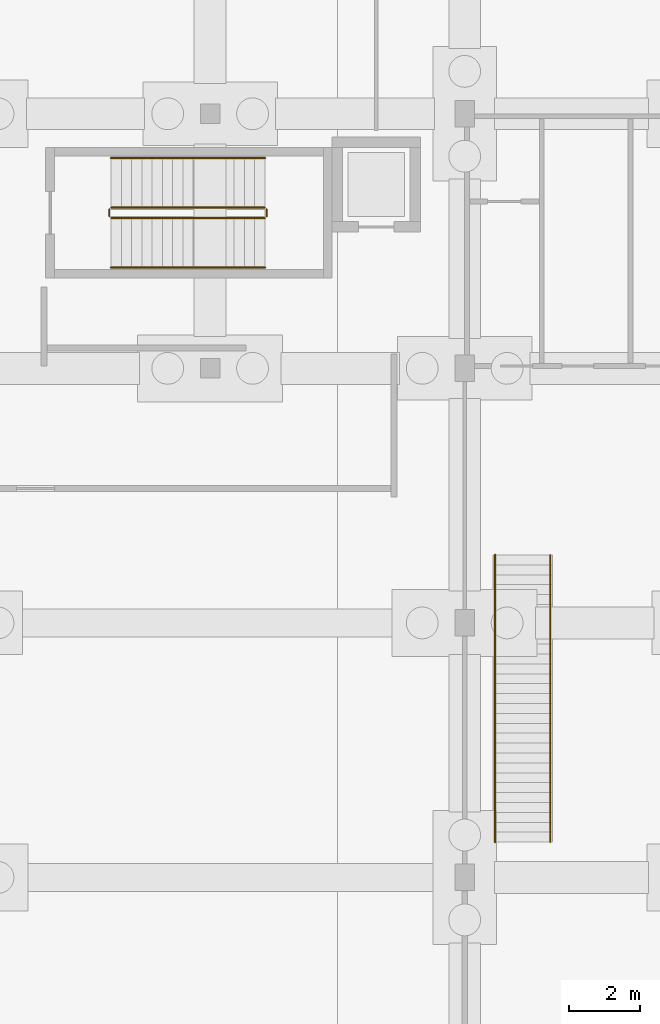
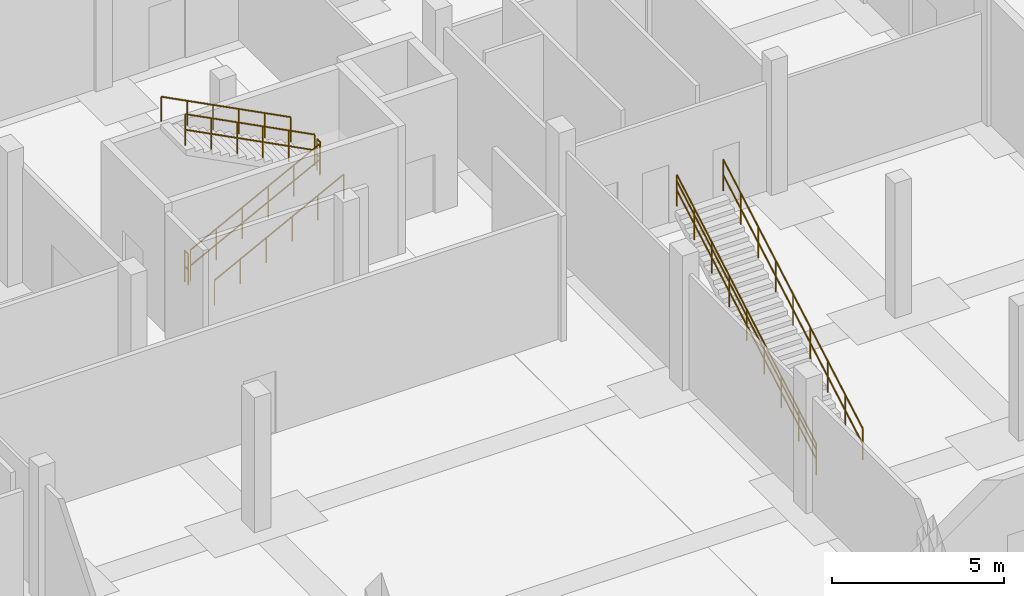
# One storey, part 45 of 48: 9 railings.
"""IFC4 building model written with IfcOpenShell, lengths in metres."""

from ifc_helpers import new_model, si_unit, direction, frame, origin, origin_2d, place, context, subcontext, project, spatial, circle, extrude, material, type_object, element, save


model = new_model("IFC4")

# Units and contexts
model_context = context("Model", 3, precision=1e-05, world=origin(), true_north=direction((0.0, 1.0)))
body_context = subcontext(model_context, "Body", "Model", "MODEL_VIEW")
ifc_project = project(units=[si_unit("LENGTHUNIT", "METRE"), si_unit("AREAUNIT", "SQUARE_METRE"), si_unit("VOLUMEUNIT", "CUBIC_METRE"), si_unit("PLANEANGLEUNIT", "RADIAN"), si_unit("MASSUNIT", "GRAM", prefix="KILO")], contexts=[model_context])

# Site, building, storey
site_placement = place(None, origin())
site = spatial("IfcSite", under=ifc_project, at=site_placement, CompositionType="ELEMENT")
building_placement = place(site_placement, origin())
building = spatial("IfcBuilding", under=site, at=building_placement, Name="Seraya Terrace Polytechnic", CompositionType="ELEMENT")
storey_placement = place(building_placement, origin())
storey = spatial("IfcBuildingStorey", under=building, at=storey_placement, Name="L00", CompositionType="ELEMENT", Elevation=0.0)

# Railings
ifc_material = material(Name="Steel S355J2", Category="steel")
railing_type_1 = type_object("IfcRailingType", Name="GR-02", PredefinedType="GUARDRAIL", material=ifc_material)
railing_1_placement = place(storey_placement, frame((141.199951171875, 25.85009765625, 0.14990234375)))
element("IfcRailing", 1, at=railing_1_placement, inside=storey, type_object=railing_type_1, Name="L00 ST-10 stair guard 1", PredefinedType="GUARDRAIL", context=body_context, shape_type="SweptSolid", body=[
    extrude(circle(Radius=0.02392578125, at=origin_2d()), frame((0.0, 0.0, 1.10595703125), z_axis=(0.888221851817, 0.0, 0.459414782038), x_axis=(0.0, 1.0, 0.0)), (0.0, 0.0, 1.0), 4.8974609375),
    extrude(circle(Radius=0.02392578125, at=origin_2d()), frame((0.0, 0.0, 0.550048828125), z_axis=(0.888221851817, 0.0, 0.459414782038), x_axis=(0.0, 1.0, 0.0)), (0.0, 0.0, 1.0), 4.8974609375),
    extrude(circle(Radius=0.02099609375, at=origin_2d()), origin(), (0.0, 0.0, 1.0), 1.081787109375),
    extrude(circle(Radius=0.02099609375, at=origin_2d()), frame((0.8701171875, 0.0, 0.449951171875)), (0.0, 0.0, 1.0), 1.081787109375),
    extrude(circle(Radius=0.02099609375, at=origin_2d()), frame((1.739990234375, 0.0, 0.89990234375)), (0.0, 0.0, 1.0), 1.081787109375),
    extrude(circle(Radius=0.02099609375, at=origin_2d()), frame((2.610107421875, 0.0, 1.35009765625)), (0.0, 0.0, 1.0), 1.081787109375),
    extrude(circle(Radius=0.02099609375, at=origin_2d()), frame((3.47998046875, 0.0, 1.800048828125)), (0.0, 0.0, 1.0), 1.081787109375),
    extrude(circle(Radius=0.02099609375, at=origin_2d()), frame((4.35009765625, 0.0, 2.25)), (0.0, 0.0, 1.0), 1.081787109375),
])
railing_2_placement = place(storey_placement, frame((145.60009765625, 25.89990234375, 2.39990234375)))
element("IfcRailing", 2, at=railing_2_placement, inside=storey, type_object=railing_type_1, Name="L00 ST-10 stair guard 2", PredefinedType="GUARDRAIL", context=body_context, shape_type="SweptSolid", body=[
    extrude(circle(Radius=0.02392578125, at=origin_2d()), frame((0.0, 0.0, 1.10595703125), z_axis=(0.0, 1.0, 0.0), x_axis=(-1.0, 0.0, 0.0)), (0.0, 0.0, 1.0), 0.2001953125),
    extrude(circle(Radius=0.02392578125, at=origin_2d()), frame((0.0, 0.0, 0.550048828125), z_axis=(0.0, 1.0, 0.0), x_axis=(-1.0, 0.0, 0.0)), (0.0, 0.0, 1.0), 0.2001953125),
    extrude(circle(Radius=0.02099609375, at=origin_2d()), origin(), (0.0, 0.0, 1.0), 1.081787109375),
    extrude(circle(Radius=0.02099609375, at=origin_2d()), frame((0.0, 0.2001953125, 0.0)), (0.0, 0.0, 1.0), 1.081787109375),
])
railing_3_placement = place(storey_placement, frame((145.550048828125, 26.14990234375, 2.550048828125)))
element("IfcRailing", 3, at=railing_3_placement, inside=storey, type_object=railing_type_1, Name="L00 ST-10 stair guard 3", PredefinedType="GUARDRAIL", context=body_context, shape_type="SweptSolid", body=[
    extrude(circle(Radius=0.02392578125, at=origin_2d()), frame((0.0, 0.0, 1.10595703125), z_axis=(-0.888221851817, 0.0, 0.459414782038), x_axis=(0.0, -1.0, 0.0)), (0.0, 0.0, 1.0), 4.8974609375),
    extrude(circle(Radius=0.02392578125, at=origin_2d()), frame((0.0, 0.0, 0.550048828125), z_axis=(-0.888221851817, 0.0, 0.459414782038), x_axis=(0.0, -1.0, 0.0)), (0.0, 0.0, 1.0), 4.8974609375),
    extrude(circle(Radius=0.02099609375, at=origin_2d()), origin(), (0.0, 0.0, 1.0), 1.081787109375),
    extrude(circle(Radius=0.02099609375, at=origin_2d()), frame((-0.8701171875, 0.0, 0.449951171875)), (0.0, 0.0, 1.0), 1.081787109375),
    extrude(circle(Radius=0.02099609375, at=origin_2d()), frame((-1.739990234375, 0.0, 0.89990234375)), (0.0, 0.0, 1.0), 1.081787109375),
    extrude(circle(Radius=0.02099609375, at=origin_2d()), frame((-2.610107421875, 0.0, 1.35009765625)), (0.0, 0.0, 1.0), 1.081787109375),
    extrude(circle(Radius=0.02099609375, at=origin_2d()), frame((-3.47998046875, 0.0, 1.800048828125)), (0.0, 0.0, 1.0), 1.081787109375),
    extrude(circle(Radius=0.02099609375, at=origin_2d()), frame((-4.35009765625, 0.0, 2.25)), (0.0, 0.0, 1.0), 1.081787109375),
])
railing_4_placement = place(storey_placement, frame((141.14990234375, 25.89990234375, 0.0)))
element("IfcRailing", 4, at=railing_4_placement, inside=storey, type_object=railing_type_1, Name="L00 ST-10 stair guard 4", PredefinedType="GUARDRAIL", context=body_context, shape_type="SweptSolid", body=[
    extrude(circle(Radius=0.02392578125, at=origin_2d()), frame((0.0, 0.0, 1.10595703125), z_axis=(0.0, 1.0, 0.0), x_axis=(-1.0, 0.0, 0.0)), (0.0, 0.0, 1.0), 0.2001953125),
    extrude(circle(Radius=0.02392578125, at=origin_2d()), frame((0.0, 0.0, 0.550048828125), z_axis=(0.0, 1.0, 0.0), x_axis=(-1.0, 0.0, 0.0)), (0.0, 0.0, 1.0), 0.2001953125),
    extrude(circle(Radius=0.02099609375, at=origin_2d()), origin(), (0.0, 0.0, 1.0), 1.081787109375),
    extrude(circle(Radius=0.02099609375, at=origin_2d()), frame((0.0, 0.2001953125, 0.0)), (0.0, 0.0, 1.0), 1.081787109375),
])
for number, where, name in (
    (5, (153.6201171875, 8.199951171875, 0.159912109375), "ST-14 flight guard L00"),
    (6, (152.06005859375, 8.199951171875, 0.159912109375), "ST-14 flight outer guard L00"),
):
    element("IfcRailing", number, at=place(storey_placement, frame(where)), inside=storey, type_object=railing_type_1, Name=name, PredefinedType="GUARDRAIL", context=body_context, shape_type="SweptSolid", body=[
        extrude(circle(Radius=0.02392578125, at=origin_2d()), frame((0.0, 0.0, 1.10595703125), z_axis=(0.0, 0.868239929229, 0.496144560882), x_axis=(-1.0, 0.0, 0.0)), (0.0, 0.0, 1.0), 9.352294921875),
        extrude(circle(Radius=0.02392578125, at=origin_2d()), frame((0.0, 0.0, 0.550048828125), z_axis=(0.0, 0.868239929229, 0.496144560882), x_axis=(-1.0, 0.0, 0.0)), (0.0, 0.0, 1.0), 9.352294921875),
        extrude(circle(Radius=0.02099609375, at=origin_2d()), origin(), (0.0, 0.0, 1.0), 1.081787109375),
        extrude(circle(Radius=0.02099609375, at=origin_2d()), frame((0.0, 1.01513671875, 0.580078125)), (0.0, 0.0, 1.0), 1.081787109375),
        extrude(circle(Radius=0.02099609375, at=origin_2d()), frame((0.0, 2.030029296875, 1.16015625)), (0.0, 0.0, 1.0), 1.081787109375),
        extrude(circle(Radius=0.02099609375, at=origin_2d()), frame((0.0, 3.044921875, 1.739990234375)), (0.0, 0.0, 1.0), 1.081787109375),
        extrude(circle(Radius=0.02099609375, at=origin_2d()), frame((0.0, 4.06005859375, 2.320068359375)), (0.0, 0.0, 1.0), 1.081787109375),
        extrude(circle(Radius=0.02099609375, at=origin_2d()), frame((0.0, 5.0751953125, 2.900146484375)), (0.0, 0.0, 1.0), 1.081787109375),
        extrude(circle(Radius=0.02099609375, at=origin_2d()), frame((0.0, 6.090087890625, 3.47998046875)), (0.0, 0.0, 1.0), 1.081787109375),
        extrude(circle(Radius=0.02099609375, at=origin_2d()), frame((0.0, 7.10498046875, 4.06005859375)), (0.0, 0.0, 1.0), 1.081787109375),
        extrude(circle(Radius=0.02099609375, at=origin_2d()), frame((0.0, 8.1201171875, 4.64013671875)), (0.0, 0.0, 1.0), 1.081787109375),
    ])
railing_type_2 = type_object("IfcRailingType", Name="HR-01", PredefinedType="HANDRAIL", material=ifc_material)
railing_5_placement = place(storey_placement, frame((141.199951171875, 24.449951171875, 0.14990234375)))
element("IfcRailing", 7, at=railing_5_placement, inside=storey, type_object=railing_type_2, Name="L00 ST-10 stair handrail 1", PredefinedType="HANDRAIL", context=body_context, shape_type="SweptSolid", body=[
    extrude(circle(Radius=0.02392578125, at=origin_2d()), frame((0.0, 0.0, 0.8759765625), z_axis=(0.888221851817, 0.0, 0.459414782038), x_axis=(0.0, 1.0, 0.0)), (0.0, 0.0, 1.0), 4.8974609375),
    extrude(circle(Radius=0.02099609375, at=origin_2d()), origin(), (0.0, 0.0, 1.0), 0.851806640625),
    extrude(circle(Radius=0.02099609375, at=origin_2d()), frame((0.8701171875, 0.0, 0.449951171875)), (0.0, 0.0, 1.0), 0.851806640625),
    extrude(circle(Radius=0.02099609375, at=origin_2d()), frame((1.739990234375, 0.0, 0.89990234375)), (0.0, 0.0, 1.0), 0.851806640625),
    extrude(circle(Radius=0.02099609375, at=origin_2d()), frame((2.610107421875, 0.0, 1.35009765625)), (0.0, 0.0, 1.0), 0.851806640625),
    extrude(circle(Radius=0.02099609375, at=origin_2d()), frame((3.47998046875, 0.0, 1.800048828125)), (0.0, 0.0, 1.0), 0.851806640625),
    extrude(circle(Radius=0.02099609375, at=origin_2d()), frame((4.35009765625, 0.0, 2.25)), (0.0, 0.0, 1.0), 0.851806640625),
])
railing_6_placement = place(storey_placement, frame((145.550048828125, 27.550048828125, 2.550048828125)))
element("IfcRailing", 8, at=railing_6_placement, inside=storey, type_object=railing_type_2, Name="L00 ST-10 stair handrail 2", PredefinedType="HANDRAIL", context=body_context, shape_type="SweptSolid", body=[
    extrude(circle(Radius=0.02392578125, at=origin_2d()), frame((0.0, 0.0, 0.8759765625), z_axis=(-0.888221851817, 0.0, 0.459414782038), x_axis=(0.0, -1.0, 0.0)), (0.0, 0.0, 1.0), 4.8974609375),
    extrude(circle(Radius=0.02099609375, at=origin_2d()), origin(), (0.0, 0.0, 1.0), 0.851806640625),
    extrude(circle(Radius=0.02099609375, at=origin_2d()), frame((-0.8701171875, 0.0, 0.449951171875)), (0.0, 0.0, 1.0), 0.851806640625),
    extrude(circle(Radius=0.02099609375, at=origin_2d()), frame((-1.739990234375, 0.0, 0.89990234375)), (0.0, 0.0, 1.0), 0.851806640625),
    extrude(circle(Radius=0.02099609375, at=origin_2d()), frame((-2.610107421875, 0.0, 1.35009765625)), (0.0, 0.0, 1.0), 0.851806640625),
    extrude(circle(Radius=0.02099609375, at=origin_2d()), frame((-3.47998046875, 0.0, 1.800048828125)), (0.0, 0.0, 1.0), 0.851806640625),
    extrude(circle(Radius=0.02099609375, at=origin_2d()), frame((-4.35009765625, 0.0, 2.25)), (0.0, 0.0, 1.0), 0.851806640625),
])
railing_7_placement = place(storey_placement, frame((152.06005859375, 8.199951171875, 0.159912109375)))
element("IfcRailing", 9, at=railing_7_placement, inside=storey, type_object=railing_type_2, Name="ST-14 handrail L00", PredefinedType="HANDRAIL", context=body_context, shape_type="SweptSolid", body=[
    extrude(circle(Radius=0.02392578125, at=origin_2d()), frame((0.0, 0.0, 0.8759765625), z_axis=(0.0, 0.868239929229, 0.496144560882), x_axis=(-1.0, 0.0, 0.0)), (0.0, 0.0, 1.0), 9.352294921875),
    extrude(circle(Radius=0.02099609375, at=origin_2d()), origin(), (0.0, 0.0, 1.0), 0.851806640625),
    extrude(circle(Radius=0.02099609375, at=origin_2d()), frame((0.0, 1.01513671875, 0.580078125)), (0.0, 0.0, 1.0), 0.851806640625),
    extrude(circle(Radius=0.02099609375, at=origin_2d()), frame((0.0, 2.030029296875, 1.16015625)), (0.0, 0.0, 1.0), 0.851806640625),
    extrude(circle(Radius=0.02099609375, at=origin_2d()), frame((0.0, 3.044921875, 1.739990234375)), (0.0, 0.0, 1.0), 0.851806640625),
    extrude(circle(Radius=0.02099609375, at=origin_2d()), frame((0.0, 4.06005859375, 2.320068359375)), (0.0, 0.0, 1.0), 0.851806640625),
    extrude(circle(Radius=0.02099609375, at=origin_2d()), frame((0.0, 5.0751953125, 2.900146484375)), (0.0, 0.0, 1.0), 0.851806640625),
    extrude(circle(Radius=0.02099609375, at=origin_2d()), frame((0.0, 6.090087890625, 3.47998046875)), (0.0, 0.0, 1.0), 0.851806640625),
    extrude(circle(Radius=0.02099609375, at=origin_2d()), frame((0.0, 7.10498046875, 4.06005859375)), (0.0, 0.0, 1.0), 0.851806640625),
    extrude(circle(Radius=0.02099609375, at=origin_2d()), frame((0.0, 8.1201171875, 4.64013671875)), (0.0, 0.0, 1.0), 0.851806640625),
])

save(model, "model.ifc")
